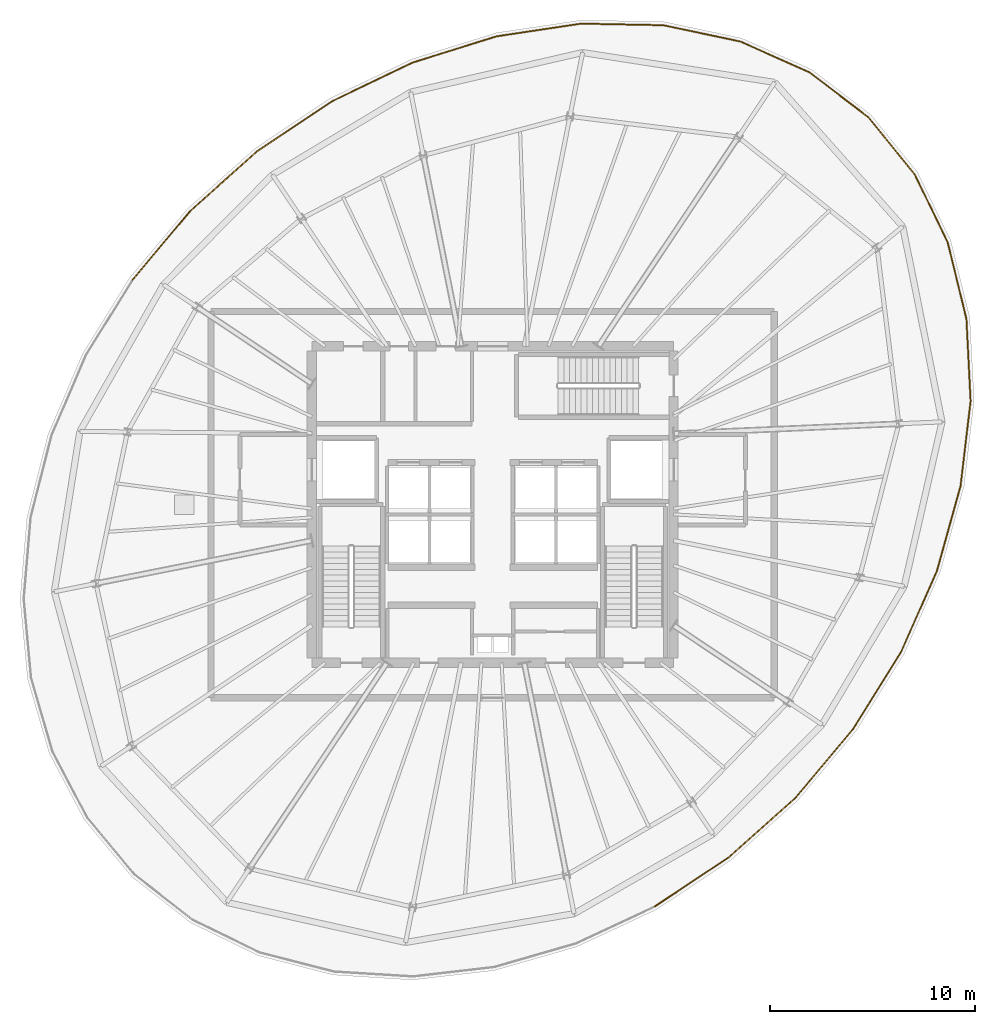
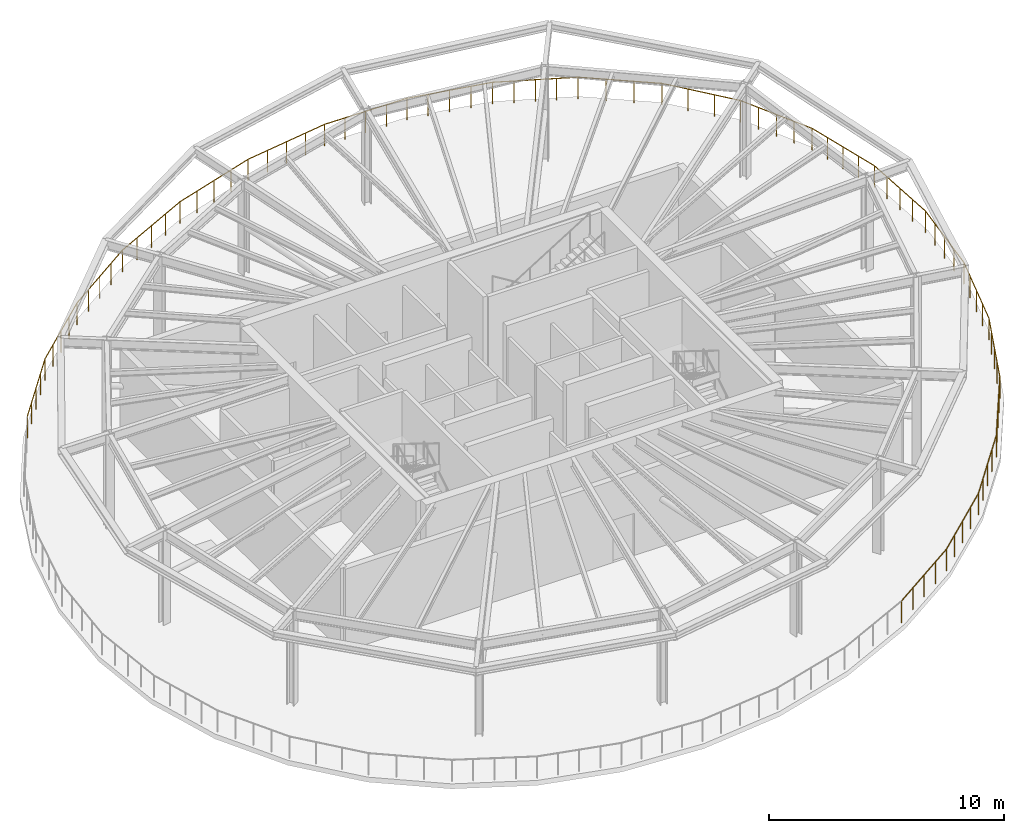
# One storey, part 8 of 8: 21 railings.
"""IFC4 building model written with IfcOpenShell, lengths in metres."""

from ifc_helpers import new_model, si_unit, direction, frame, origin, origin_2d, place, context, subcontext, project, spatial, circle, extrude, material, type_object, element, save


model = new_model("IFC4")

# Units and contexts
model_context = context("Model", 3, precision=1e-05, world=origin(), true_north=direction((0.0, 1.0)))
body_context = subcontext(model_context, "Body", "Model", "MODEL_VIEW")
ifc_project = project(units=[si_unit("LENGTHUNIT", "METRE"), si_unit("AREAUNIT", "SQUARE_METRE"), si_unit("VOLUMEUNIT", "CUBIC_METRE"), si_unit("PLANEANGLEUNIT", "RADIAN"), si_unit("MASSUNIT", "GRAM", prefix="KILO"), si_unit("THERMODYNAMICTEMPERATUREUNIT", "KELVIN")], contexts=[model_context])

# Site, building, storey
site_placement = place(None, origin())
site = spatial("IfcSite", under=ifc_project, at=site_placement, CompositionType="ELEMENT")
building_placement = place(site_placement, origin())
building = spatial("IfcBuilding", under=site, at=building_placement, Name="Kethvar Cultural Tower", CompositionType="ELEMENT")
storey_placement = place(building_placement, frame((0.0, 0.0, 218.39990234375)))
storey = spatial("IfcBuildingStorey", under=building, at=storey_placement, Name="L57", CompositionType="ELEMENT", Elevation=218.39990234375)

# Railings
ifc_material = material(Name="Steel S355J2", Category="steel")
railing_type = type_object("IfcRailingType", Name="RL-EXT-GUARD-1150", PredefinedType="BALUSTRADE", material=ifc_material)
railing_1_placement = place(storey_placement, frame((65.071533203125, 46.65478515625, 0.0)))
element("IfcRailing", 1, at=railing_1_placement, inside=storey, type_object=railing_type, Name="L57 Open Wind-Floor Perimeter Guard 01", PredefinedType="BALUSTRADE", context=body_context, shape_type="SweptSolid", body=[
    extrude(circle(Radius=0.02392578125, at=origin_2d()), frame((0.0, 0.0, 1.1259765625), z_axis=(-0.795715504691, 0.605670566887, 0.0), x_axis=(-0.605670566887, -0.795715504691, 0.0)), (0.0, 0.0, 1.0), 3.59326171875),
    extrude(circle(Radius=0.02099609375, at=origin_2d()), origin(), (0.0, 0.0, 1.0), 1.101806640625),
    extrude(circle(Radius=0.02099609375, at=origin_2d()), frame((-0.953125, 0.725341796875, 0.0)), (0.0, 0.0, 1.0), 1.101806640625),
    extrude(circle(Radius=0.02099609375, at=origin_2d()), frame((-1.906005859375, 1.450927734375, 0.0)), (0.0, 0.0, 1.0), 1.101806640625),
    extrude(circle(Radius=0.02099609375, at=origin_2d()), frame((-2.859130859375, 2.17626953125, 0.0)), (0.0, 0.0, 1.0), 1.101806640625),
])
railing_2_placement = place(storey_placement, frame((62.21240234375, 48.8310546875, 0.0)))
element("IfcRailing", 2, at=railing_2_placement, inside=storey, type_object=railing_type, Name="L57 Open Wind-Floor Perimeter Guard 02", PredefinedType="BALUSTRADE", context=body_context, shape_type="SweptSolid", body=[
    extrude(circle(Radius=0.02392578125, at=origin_2d()), frame((0.0, 0.0, 1.1259765625), z_axis=(-0.913063362261, 0.407817724598, 0.0), x_axis=(-0.407817724598, -0.913063362261, 0.0)), (0.0, 0.0, 1.0), 3.68115234375),
    extrude(circle(Radius=0.02099609375, at=origin_2d()), origin(), (0.0, 0.0, 1.0), 1.101806640625),
    extrude(circle(Radius=0.02099609375, at=origin_2d()), frame((-0.84033203125, 0.375244140625, 0.0)), (0.0, 0.0, 1.0), 1.101806640625),
    extrude(circle(Radius=0.02099609375, at=origin_2d()), frame((-1.6806640625, 0.75048828125, 0.0)), (0.0, 0.0, 1.0), 1.101806640625),
    extrude(circle(Radius=0.02099609375, at=origin_2d()), frame((-2.520751953125, 1.1259765625, 0.0)), (0.0, 0.0, 1.0), 1.101806640625),
    extrude(circle(Radius=0.02099609375, at=origin_2d()), frame((-3.361083984375, 1.501220703125, 0.0)), (0.0, 0.0, 1.0), 1.101806640625),
])
railing_3_placement = place(storey_placement, frame((58.851318359375, 50.332275390625, 0.0)))
element("IfcRailing", 3, at=railing_3_placement, inside=storey, type_object=railing_type, Name="L57 Open Wind-Floor Perimeter Guard 03", PredefinedType="BALUSTRADE", context=body_context, shape_type="SweptSolid", body=[
    extrude(circle(Radius=0.02392578125, at=origin_2d()), frame((0.0, 0.0, 1.1259765625), z_axis=(-0.97838244694, 0.206803741553, 0.0), x_axis=(-0.206803741553, -0.97838244694, 0.0)), (0.0, 0.0, 1.0), 3.830810546875),
    extrude(circle(Radius=0.02099609375, at=origin_2d()), origin(), (0.0, 0.0, 1.0), 1.101806640625),
    extrude(circle(Radius=0.02099609375, at=origin_2d()), frame((-0.93701171875, 0.197998046875, 0.0)), (0.0, 0.0, 1.0), 1.101806640625),
    extrude(circle(Radius=0.02099609375, at=origin_2d()), frame((-1.8740234375, 0.39599609375, 0.0)), (0.0, 0.0, 1.0), 1.101806640625),
    extrude(circle(Radius=0.02099609375, at=origin_2d()), frame((-2.81103515625, 0.59423828125, 0.0)), (0.0, 0.0, 1.0), 1.101806640625),
    extrude(circle(Radius=0.02099609375, at=origin_2d()), frame((-3.748046875, 0.792236328125, 0.0)), (0.0, 0.0, 1.0), 1.101806640625),
])
railing_4_placement = place(storey_placement, frame((55.103271484375, 51.12451171875, 0.0)))
element("IfcRailing", 4, at=railing_4_placement, inside=storey, type_object=railing_type, Name="L57 Open Wind-Floor Perimeter Guard 04", PredefinedType="BALUSTRADE", context=body_context, shape_type="SweptSolid", body=[
    extrude(circle(Radius=0.02392578125, at=origin_2d()), frame((0.0, 0.0, 1.1259765625), z_axis=(-0.999813173699, 0.019329192905, 0.0), x_axis=(-0.019329192905, -0.999813173699, 0.0)), (0.0, 0.0, 1.0), 4.00390625),
    extrude(circle(Radius=0.02099609375, at=origin_2d()), origin(), (0.0, 0.0, 1.0), 1.101806640625),
    extrude(circle(Radius=0.02099609375, at=origin_2d()), frame((-1.000732421875, 0.019287109375, 0.0)), (0.0, 0.0, 1.0), 1.101806640625),
    extrude(circle(Radius=0.02099609375, at=origin_2d()), frame((-2.00146484375, 0.03857421875, 0.0)), (0.0, 0.0, 1.0), 1.101806640625),
    extrude(circle(Radius=0.02099609375, at=origin_2d()), frame((-3.00244140625, 0.05810546875, 0.0)), (0.0, 0.0, 1.0), 1.101806640625),
    extrude(circle(Radius=0.02099609375, at=origin_2d()), frame((-4.003173828125, 0.077392578125, 0.0)), (0.0, 0.0, 1.0), 1.101806640625),
])
railing_5_placement = place(storey_placement, frame((51.10009765625, 51.201904296875, 0.0)))
element("IfcRailing", 5, at=railing_5_placement, inside=storey, type_object=railing_type, Name="L57 Open Wind-Floor Perimeter Guard 05", PredefinedType="BALUSTRADE", context=body_context, shape_type="SweptSolid", body=[
    extrude(circle(Radius=0.02392578125, at=origin_2d()), frame((0.0, 0.0, 1.1259765625), z_axis=(-0.988879933591, -0.148716095095, 0.0), x_axis=(0.148716095095, -0.988879933591, 0.0)), (0.0, 0.0, 1.0), 4.163330078125),
    extrude(circle(Radius=0.02099609375, at=origin_2d()), origin(), (0.0, 0.0, 1.0), 1.101806640625),
    extrude(circle(Radius=0.02099609375, at=origin_2d()), frame((-1.029296875, -0.15478515625, 0.0)), (0.0, 0.0, 1.0), 1.101806640625),
    extrude(circle(Radius=0.02099609375, at=origin_2d()), frame((-2.05859375, -0.3095703125, 0.0)), (0.0, 0.0, 1.0), 1.101806640625),
    extrude(circle(Radius=0.02099609375, at=origin_2d()), frame((-3.087646484375, -0.46435546875, 0.0)), (0.0, 0.0, 1.0), 1.101806640625),
    extrude(circle(Radius=0.02099609375, at=origin_2d()), frame((-4.116943359375, -0.619140625, 0.0)), (0.0, 0.0, 1.0), 1.101806640625),
])
railing_6_placement = place(storey_placement, frame((46.983154296875, 50.582763671875, 0.0)))
element("IfcRailing", 6, at=railing_6_placement, inside=storey, type_object=railing_type, Name="L57 Open Wind-Floor Perimeter Guard 06", PredefinedType="BALUSTRADE", context=body_context, shape_type="SweptSolid", body=[
    extrude(circle(Radius=0.02392578125, at=origin_2d()), frame((0.0, 0.0, 1.1259765625), z_axis=(-0.954412003304, -0.298492425279, 0.0), x_axis=(0.298492425279, -0.954412003304, 0.0)), (0.0, 0.0, 1.0), 4.283447265625),
    extrude(circle(Radius=0.02099609375, at=origin_2d()), origin(), (0.0, 0.0, 1.0), 1.101806640625),
    extrude(circle(Radius=0.02099609375, at=origin_2d()), frame((-1.02197265625, -0.319580078125, 0.0)), (0.0, 0.0, 1.0), 1.101806640625),
    extrude(circle(Radius=0.02099609375, at=origin_2d()), frame((-2.0439453125, -0.63916015625, 0.0)), (0.0, 0.0, 1.0), 1.101806640625),
    extrude(circle(Radius=0.02099609375, at=origin_2d()), frame((-3.066162109375, -0.958984375, 0.0)), (0.0, 0.0, 1.0), 1.101806640625),
    extrude(circle(Radius=0.02099609375, at=origin_2d()), frame((-4.088134765625, -1.278564453125, 0.0)), (0.0, 0.0, 1.0), 1.101806640625),
])
railing_7_placement = place(storey_placement, frame((42.89501953125, 49.30419921875, 0.0)))
element("IfcRailing", 7, at=railing_7_placement, inside=storey, type_object=railing_type, Name="L57 Open Wind-Floor Perimeter Guard 07", PredefinedType="BALUSTRADE", context=body_context, shape_type="SweptSolid", body=[
    extrude(circle(Radius=0.02392578125, at=origin_2d()), frame((0.0, 0.0, 1.1259765625), z_axis=(-0.901336617807, -0.433119269256, 0.0), x_axis=(0.433119269256, -0.901336617807, 0.0)), (0.0, 0.0, 1.0), 4.3544921875),
    extrude(circle(Radius=0.02099609375, at=origin_2d()), origin(), (0.0, 0.0, 1.0), 1.101806640625),
    extrude(circle(Radius=0.02099609375, at=origin_2d()), frame((-0.981201171875, -0.471435546875, 0.0)), (0.0, 0.0, 1.0), 1.101806640625),
    extrude(circle(Radius=0.02099609375, at=origin_2d()), frame((-1.96240234375, -0.94287109375, 0.0)), (0.0, 0.0, 1.0), 1.101806640625),
    extrude(circle(Radius=0.02099609375, at=origin_2d()), frame((-2.943603515625, -1.41455078125, 0.0)), (0.0, 0.0, 1.0), 1.101806640625),
    extrude(circle(Radius=0.02099609375, at=origin_2d()), frame((-3.9248046875, -1.885986328125, 0.0)), (0.0, 0.0, 1.0), 1.101806640625),
])
railing_8_placement = place(storey_placement, frame((38.97021484375, 47.418212890625, 0.0)))
element("IfcRailing", 8, at=railing_8_placement, inside=storey, type_object=railing_type, Name="L57 Open Wind-Floor Perimeter Guard 08", PredefinedType="BALUSTRADE", context=body_context, shape_type="SweptSolid", body=[
    extrude(circle(Radius=0.02392578125, at=origin_2d()), frame((0.0, 0.0, 1.1259765625), z_axis=(-0.831492274519, -0.555536315118, 0.0), x_axis=(0.555536315118, -0.831492274519, 0.0)), (0.0, 0.0, 1.0), 4.37841796875),
    extrude(circle(Radius=0.02099609375, at=origin_2d()), origin(), (0.0, 0.0, 1.0), 1.101806640625),
    extrude(circle(Radius=0.02099609375, at=origin_2d()), frame((-0.91015625, -0.608154296875, 0.0)), (0.0, 0.0, 1.0), 1.101806640625),
    extrude(circle(Radius=0.02099609375, at=origin_2d()), frame((-1.8203125, -1.21630859375, 0.0)), (0.0, 0.0, 1.0), 1.101806640625),
    extrude(circle(Radius=0.02099609375, at=origin_2d()), frame((-2.73046875, -1.82421875, 0.0)), (0.0, 0.0, 1.0), 1.101806640625),
    extrude(circle(Radius=0.02099609375, at=origin_2d()), frame((-3.640625, -2.432373046875, 0.0)), (0.0, 0.0, 1.0), 1.101806640625),
])
railing_9_placement = place(storey_placement, frame((35.32958984375, 44.98583984375, 0.0)))
element("IfcRailing", 9, at=railing_9_placement, inside=storey, type_object=railing_type, Name="L57 Open Wind-Floor Perimeter Guard 09", PredefinedType="BALUSTRADE", context=body_context, shape_type="SweptSolid", body=[
    extrude(circle(Radius=0.02392578125, at=origin_2d()), frame((0.0, 0.0, 1.1259765625), z_axis=(-0.745155106559, -0.6668911959, 0.0), x_axis=(0.6668911959, -0.745155106559, 0.0)), (0.0, 0.0, 1.0), 4.370361328125),
    extrude(circle(Radius=0.02099609375, at=origin_2d()), origin(), (0.0, 0.0, 1.0), 1.101806640625),
    extrude(circle(Radius=0.02099609375, at=origin_2d()), frame((-0.814208984375, -0.728515625, 0.0)), (0.0, 0.0, 1.0), 1.101806640625),
    extrude(circle(Radius=0.02099609375, at=origin_2d()), frame((-1.62841796875, -1.457275390625, 0.0)), (0.0, 0.0, 1.0), 1.101806640625),
    extrude(circle(Radius=0.02099609375, at=origin_2d()), frame((-2.4423828125, -2.18603515625, 0.0)), (0.0, 0.0, 1.0), 1.101806640625),
    extrude(circle(Radius=0.02099609375, at=origin_2d()), frame((-3.256591796875, -2.91455078125, 0.0)), (0.0, 0.0, 1.0), 1.101806640625),
])
railing_10_placement = place(storey_placement, frame((32.072998046875, 42.0712890625, 0.0)))
element("IfcRailing", 10, at=railing_10_placement, inside=storey, type_object=railing_type, Name="L57 Open Wind-Floor Perimeter Guard 10", PredefinedType="BALUSTRADE", context=body_context, shape_type="SweptSolid", body=[
    extrude(circle(Radius=0.02392578125, at=origin_2d()), frame((0.0, 0.0, 1.1259765625), z_axis=(-0.642964625528, -0.765895874332, 0.0), x_axis=(0.765895874332, -0.642964625528, 0.0)), (0.0, 0.0, 1.0), 4.355224609375),
    extrude(circle(Radius=0.02099609375, at=origin_2d()), origin(), (0.0, 0.0, 1.0), 1.101806640625),
    extrude(circle(Radius=0.02099609375, at=origin_2d()), frame((-0.7001953125, -0.833984375, 0.0)), (0.0, 0.0, 1.0), 1.101806640625),
    extrude(circle(Radius=0.02099609375, at=origin_2d()), frame((-1.400146484375, -1.66796875, 0.0)), (0.0, 0.0, 1.0), 1.101806640625),
    extrude(circle(Radius=0.02099609375, at=origin_2d()), frame((-2.10009765625, -2.501708984375, 0.0)), (0.0, 0.0, 1.0), 1.101806640625),
    extrude(circle(Radius=0.02099609375, at=origin_2d()), frame((-2.80029296875, -3.335693359375, 0.0)), (0.0, 0.0, 1.0), 1.101806640625),
])
railing_11_placement = place(storey_placement, frame((54.6865234375, 8.240234375, 0.0)))
element("IfcRailing", 11, at=railing_11_placement, inside=storey, type_object=railing_type, Name="L57 Open Wind-Floor Perimeter Guard 26", PredefinedType="BALUSTRADE", context=body_context, shape_type="SweptSolid", body=[
    extrude(circle(Radius=0.02392578125, at=origin_2d()), frame((0.0, 0.0, 1.1259765625), z_axis=(0.83331073753, 0.552804861336, 0.0), x_axis=(-0.552804861336, 0.83331073753, 0.0)), (0.0, 0.0, 1.0), 4.3134765625),
    extrude(circle(Radius=0.02099609375, at=origin_2d()), origin(), (0.0, 0.0, 1.0), 1.101806640625),
    extrude(circle(Radius=0.02099609375, at=origin_2d()), frame((0.898681640625, 0.59619140625, 0.0)), (0.0, 0.0, 1.0), 1.101806640625),
    extrude(circle(Radius=0.02099609375, at=origin_2d()), frame((1.79736328125, 1.1923828125, 0.0)), (0.0, 0.0, 1.0), 1.101806640625),
    extrude(circle(Radius=0.02099609375, at=origin_2d()), frame((2.69580078125, 1.788330078125, 0.0)), (0.0, 0.0, 1.0), 1.101806640625),
    extrude(circle(Radius=0.02099609375, at=origin_2d()), frame((3.594482421875, 2.384521484375, 0.0)), (0.0, 0.0, 1.0), 1.101806640625),
])
railing_12_placement = place(storey_placement, frame((58.281005859375, 10.624755859375, 0.0)))
element("IfcRailing", 12, at=railing_12_placement, inside=storey, type_object=railing_type, Name="L57 Open Wind-Floor Perimeter Guard 27", PredefinedType="BALUSTRADE", context=body_context, shape_type="SweptSolid", body=[
    extrude(circle(Radius=0.02392578125, at=origin_2d()), frame((0.0, 0.0, 1.1259765625), z_axis=(0.745255973977, 0.666778473897, 0.0), x_axis=(-0.666778473897, 0.745255973977, 0.0)), (0.0, 0.0, 1.0), 4.35546875),
    extrude(circle(Radius=0.02099609375, at=origin_2d()), origin(), (0.0, 0.0, 1.0), 1.101806640625),
    extrude(circle(Radius=0.02099609375, at=origin_2d()), frame((0.8115234375, 0.72607421875, 0.0)), (0.0, 0.0, 1.0), 1.101806640625),
    extrude(circle(Radius=0.02099609375, at=origin_2d()), frame((1.623046875, 1.4521484375, 0.0)), (0.0, 0.0, 1.0), 1.101806640625),
    extrude(circle(Radius=0.02099609375, at=origin_2d()), frame((2.434326171875, 2.177978515625, 0.0)), (0.0, 0.0, 1.0), 1.101806640625),
    extrude(circle(Radius=0.02099609375, at=origin_2d()), frame((3.245849609375, 2.904052734375, 0.0)), (0.0, 0.0, 1.0), 1.101806640625),
])
railing_13_placement = place(storey_placement, frame((61.52685546875, 13.52880859375, 0.0)))
element("IfcRailing", 13, at=railing_13_placement, inside=storey, type_object=railing_type, Name="L57 Open Wind-Floor Perimeter Guard 28", PredefinedType="BALUSTRADE", context=body_context, shape_type="SweptSolid", body=[
    extrude(circle(Radius=0.02392578125, at=origin_2d()), frame((0.0, 0.0, 1.1259765625), z_axis=(0.643190776233, 0.765705965348, 0.0), x_axis=(-0.765705965348, 0.643190776233, 0.0)), (0.0, 0.0, 1.0), 4.3701171875),
    extrude(circle(Radius=0.02099609375, at=origin_2d()), origin(), (0.0, 0.0, 1.0), 1.101806640625),
    extrude(circle(Radius=0.02099609375, at=origin_2d()), frame((0.70263671875, 0.83642578125, 0.0)), (0.0, 0.0, 1.0), 1.101806640625),
    extrude(circle(Radius=0.02099609375, at=origin_2d()), frame((1.4052734375, 1.673095703125, 0.0)), (0.0, 0.0, 1.0), 1.101806640625),
    extrude(circle(Radius=0.02099609375, at=origin_2d()), frame((2.108154296875, 2.509765625, 0.0)), (0.0, 0.0, 1.0), 1.101806640625),
    extrude(circle(Radius=0.02099609375, at=origin_2d()), frame((2.810791015625, 3.34619140625, 0.0)), (0.0, 0.0, 1.0), 1.101806640625),
])
railing_14_placement = place(storey_placement, frame((64.337646484375, 16.875, 0.0)))
element("IfcRailing", 14, at=railing_14_placement, inside=storey, type_object=railing_type, Name="L57 Open Wind-Floor Perimeter Guard 29", PredefinedType="BALUSTRADE", context=body_context, shape_type="SweptSolid", body=[
    extrude(circle(Radius=0.02392578125, at=origin_2d()), frame((0.0, 0.0, 1.1259765625), z_axis=(0.529171671218, 0.848514786188, 0.0), x_axis=(-0.848514786188, 0.529171671218, 0.0)), (0.0, 0.0, 1.0), 4.37841796875),
    extrude(circle(Radius=0.02099609375, at=origin_2d()), origin(), (0.0, 0.0, 1.0), 1.101806640625),
    extrude(circle(Radius=0.02099609375, at=origin_2d()), frame((0.5791015625, 0.9287109375, 0.0)), (0.0, 0.0, 1.0), 1.101806640625),
    extrude(circle(Radius=0.02099609375, at=origin_2d()), frame((1.158447265625, 1.857421875, 0.0)), (0.0, 0.0, 1.0), 1.101806640625),
    extrude(circle(Radius=0.02099609375, at=origin_2d()), frame((1.73779296875, 2.786376953125, 0.0)), (0.0, 0.0, 1.0), 1.101806640625),
    extrude(circle(Radius=0.02099609375, at=origin_2d()), frame((2.31689453125, 3.715087890625, 0.0)), (0.0, 0.0, 1.0), 1.101806640625),
])
railing_15_placement = place(storey_placement, frame((66.654541015625, 20.590087890625, 0.0)))
element("IfcRailing", 15, at=railing_15_placement, inside=storey, type_object=railing_type, Name="L57 Open Wind-Floor Perimeter Guard 30", PredefinedType="BALUSTRADE", context=body_context, shape_type="SweptSolid", body=[
    extrude(circle(Radius=0.02392578125, at=origin_2d()), frame((0.0, 0.0, 1.1259765625), z_axis=(0.404577254495, 0.914503824566, 0.0), x_axis=(-0.914503824566, 0.404577254495, 0.0)), (0.0, 0.0, 1.0), 4.3544921875),
    extrude(circle(Radius=0.02099609375, at=origin_2d()), origin(), (0.0, 0.0, 1.0), 1.101806640625),
    extrude(circle(Radius=0.02099609375, at=origin_2d()), frame((0.4404296875, 0.99560546875, 0.0)), (0.0, 0.0, 1.0), 1.101806640625),
    extrude(circle(Radius=0.02099609375, at=origin_2d()), frame((0.880859375, 1.9912109375, 0.0)), (0.0, 0.0, 1.0), 1.101806640625),
    extrude(circle(Radius=0.02099609375, at=origin_2d()), frame((1.3212890625, 2.986572265625, 0.0)), (0.0, 0.0, 1.0), 1.101806640625),
    extrude(circle(Radius=0.02099609375, at=origin_2d()), frame((1.76171875, 3.982177734375, 0.0)), (0.0, 0.0, 1.0), 1.101806640625),
])
railing_16_placement = place(storey_placement, frame((68.416259765625, 24.572265625, 0.0)))
element("IfcRailing", 16, at=railing_16_placement, inside=storey, type_object=railing_type, Name="L57 Open Wind-Floor Perimeter Guard 31", PredefinedType="BALUSTRADE", context=body_context, shape_type="SweptSolid", body=[
    extrude(circle(Radius=0.02392578125, at=origin_2d()), frame((0.0, 0.0, 1.1259765625), z_axis=(0.268331652941, 0.96332659261, 0.0), x_axis=(-0.96332659261, 0.268331652941, 0.0)), (0.0, 0.0, 1.0), 4.283447265625),
    extrude(circle(Radius=0.02099609375, at=origin_2d()), origin(), (0.0, 0.0, 1.0), 1.101806640625),
    extrude(circle(Radius=0.02099609375, at=origin_2d()), frame((0.287353515625, 1.03173828125, 0.0)), (0.0, 0.0, 1.0), 1.101806640625),
    extrude(circle(Radius=0.02099609375, at=origin_2d()), frame((0.57470703125, 2.063232421875, 0.0)), (0.0, 0.0, 1.0), 1.101806640625),
    extrude(circle(Radius=0.02099609375, at=origin_2d()), frame((0.862060546875, 3.0947265625, 0.0)), (0.0, 0.0, 1.0), 1.101806640625),
    extrude(circle(Radius=0.02099609375, at=origin_2d()), frame((1.1494140625, 4.12646484375, 0.0)), (0.0, 0.0, 1.0), 1.101806640625),
])
railing_17_placement = place(storey_placement, frame((69.565673828125, 28.69873046875, 0.0)))
element("IfcRailing", 17, at=railing_17_placement, inside=storey, type_object=railing_type, Name="L57 Open Wind-Floor Perimeter Guard 32", PredefinedType="BALUSTRADE", context=body_context, shape_type="SweptSolid", body=[
    extrude(circle(Radius=0.02392578125, at=origin_2d()), frame((0.0, 0.0, 1.1259765625), z_axis=(0.117637390661, 0.993056616875, 0.0), x_axis=(-0.993056616875, 0.117637390661, 0.0)), (0.0, 0.0, 1.0), 4.1630859375),
    extrude(circle(Radius=0.02099609375, at=origin_2d()), origin(), (0.0, 0.0, 1.0), 1.101806640625),
    extrude(circle(Radius=0.02099609375, at=origin_2d()), frame((0.12255859375, 1.03369140625, 0.0)), (0.0, 0.0, 1.0), 1.101806640625),
    extrude(circle(Radius=0.02099609375, at=origin_2d()), frame((0.244873046875, 2.067138671875, 0.0)), (0.0, 0.0, 1.0), 1.101806640625),
    extrude(circle(Radius=0.02099609375, at=origin_2d()), frame((0.3671875, 3.1005859375, 0.0)), (0.0, 0.0, 1.0), 1.101806640625),
    extrude(circle(Radius=0.02099609375, at=origin_2d()), frame((0.48974609375, 4.13427734375, 0.0)), (0.0, 0.0, 1.0), 1.101806640625),
])
railing_18_placement = place(storey_placement, frame((70.055419921875, 32.8330078125, 0.0)))
element("IfcRailing", 18, at=railing_18_placement, inside=storey, type_object=railing_type, Name="L57 Open Wind-Floor Perimeter Guard 33", PredefinedType="BALUSTRADE", context=body_context, shape_type="SweptSolid", body=[
    extrude(circle(Radius=0.02392578125, at=origin_2d()), frame((0.0, 0.0, 1.1259765625), z_axis=(-0.050731342809, 0.99871233639, 0.0), x_axis=(-0.99871233639, -0.050731342809, 0.0)), (0.0, 0.0, 1.0), 4.00390625),
    extrude(circle(Radius=0.02099609375, at=origin_2d()), origin(), (0.0, 0.0, 1.0), 1.101806640625),
    extrude(circle(Radius=0.02099609375, at=origin_2d()), frame((-0.05078125, 0.999755859375, 0.0)), (0.0, 0.0, 1.0), 1.101806640625),
    extrude(circle(Radius=0.02099609375, at=origin_2d()), frame((-0.1015625, 1.99951171875, 0.0)), (0.0, 0.0, 1.0), 1.101806640625),
    extrude(circle(Radius=0.02099609375, at=origin_2d()), frame((-0.15234375, 2.9990234375, 0.0)), (0.0, 0.0, 1.0), 1.101806640625),
    extrude(circle(Radius=0.02099609375, at=origin_2d()), frame((-0.203125, 3.998779296875, 0.0)), (0.0, 0.0, 1.0), 1.101806640625),
])
railing_19_placement = place(storey_placement, frame((69.852294921875, 36.831787109375, 0.0)))
element("IfcRailing", 19, at=railing_19_placement, inside=storey, type_object=railing_type, Name="L57 Open Wind-Floor Perimeter Guard 34", PredefinedType="BALUSTRADE", context=body_context, shape_type="SweptSolid", body=[
    extrude(circle(Radius=0.02392578125, at=origin_2d()), frame((0.0, 0.0, 1.1259765625), z_axis=(-0.237509214668, 0.971385285532, 0.0), x_axis=(-0.971385285532, -0.237509214668, 0.0)), (0.0, 0.0, 1.0), 3.8310546875),
    extrude(circle(Radius=0.02099609375, at=origin_2d()), origin(), (0.0, 0.0, 1.0), 1.101806640625),
    extrude(circle(Radius=0.02099609375, at=origin_2d()), frame((-0.2275390625, 0.930419921875, 0.0)), (0.0, 0.0, 1.0), 1.101806640625),
    extrude(circle(Radius=0.02099609375, at=origin_2d()), frame((-0.455078125, 1.86083984375, 0.0)), (0.0, 0.0, 1.0), 1.101806640625),
    extrude(circle(Radius=0.02099609375, at=origin_2d()), frame((-0.682373046875, 2.791015625, 0.0)), (0.0, 0.0, 1.0), 1.101806640625),
    extrude(circle(Radius=0.02099609375, at=origin_2d()), frame((-0.909912109375, 3.721435546875, 0.0)), (0.0, 0.0, 1.0), 1.101806640625),
])
railing_20_placement = place(storey_placement, frame((68.9423828125, 40.55322265625, 0.0)))
element("IfcRailing", 20, at=railing_20_placement, inside=storey, type_object=railing_type, Name="L57 Open Wind-Floor Perimeter Guard 35", PredefinedType="BALUSTRADE", context=body_context, shape_type="SweptSolid", body=[
    extrude(circle(Radius=0.02392578125, at=origin_2d()), frame((0.0, 0.0, 1.1259765625), z_axis=(-0.436223058975, 0.899838564865, 0.0), x_axis=(-0.899838564865, -0.436223058975, 0.0)), (0.0, 0.0, 1.0), 3.680908203125),
    extrude(circle(Radius=0.02099609375, at=origin_2d()), origin(), (0.0, 0.0, 1.0), 1.101806640625),
    extrude(circle(Radius=0.02099609375, at=origin_2d()), frame((-0.4013671875, 0.828125, 0.0)), (0.0, 0.0, 1.0), 1.101806640625),
    extrude(circle(Radius=0.02099609375, at=origin_2d()), frame((-0.802734375, 1.65625, 0.0)), (0.0, 0.0, 1.0), 1.101806640625),
    extrude(circle(Radius=0.02099609375, at=origin_2d()), frame((-1.204345703125, 2.484130859375, 0.0)), (0.0, 0.0, 1.0), 1.101806640625),
    extrude(circle(Radius=0.02099609375, at=origin_2d()), frame((-1.605712890625, 3.312255859375, 0.0)), (0.0, 0.0, 1.0), 1.101806640625),
])
railing_21_placement = place(storey_placement, frame((67.336669921875, 43.865478515625, 0.0)))
element("IfcRailing", 21, at=railing_21_placement, inside=storey, type_object=railing_type, Name="L57 Open Wind-Floor Perimeter Guard 36", PredefinedType="BALUSTRADE", context=body_context, shape_type="SweptSolid", body=[
    extrude(circle(Radius=0.02392578125, at=origin_2d()), frame((0.0, 0.0, 1.1259765625), z_axis=(-0.630395643619, 0.776274006074, 0.0), x_axis=(-0.776274006074, -0.630395643619, 0.0)), (0.0, 0.0, 1.0), 3.59326171875),
    extrude(circle(Radius=0.02099609375, at=origin_2d()), origin(), (0.0, 0.0, 1.0), 1.101806640625),
    extrude(circle(Radius=0.02099609375, at=origin_2d()), frame((-0.755126953125, 0.9296875, 0.0)), (0.0, 0.0, 1.0), 1.101806640625),
    extrude(circle(Radius=0.02099609375, at=origin_2d()), frame((-1.510009765625, 1.859619140625, 0.0)), (0.0, 0.0, 1.0), 1.101806640625),
    extrude(circle(Radius=0.02099609375, at=origin_2d()), frame((-2.26513671875, 2.789306640625, 0.0)), (0.0, 0.0, 1.0), 1.101806640625),
])

save(model, "model.ifc")
